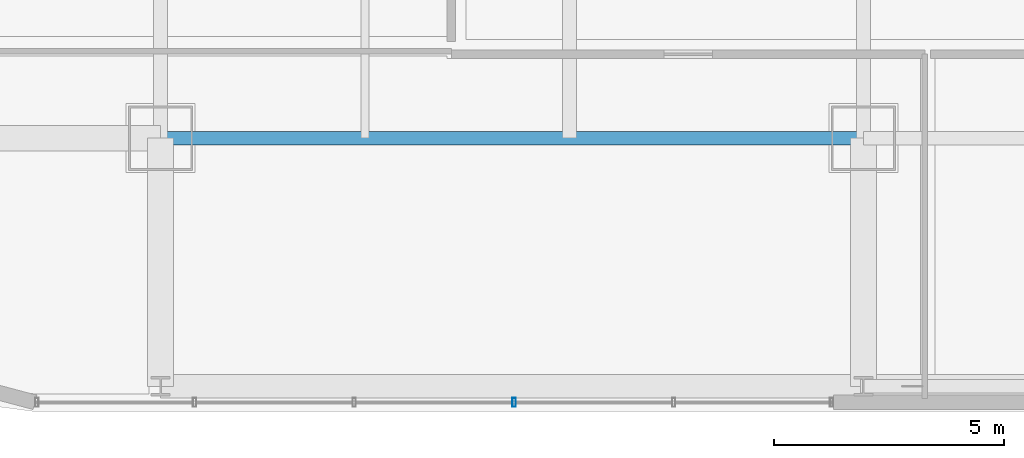
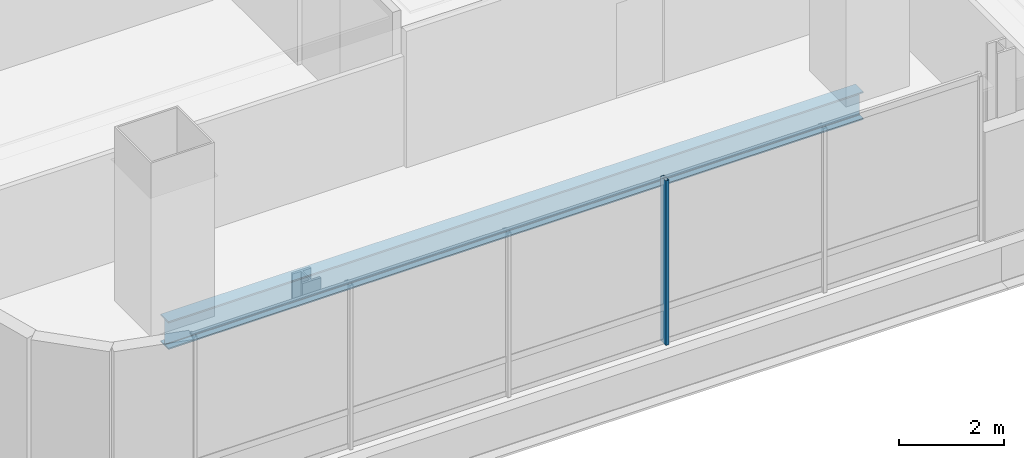
# One storey, part 4 of 38: 1 beam, 1 member, 1 element without a shape of its own.
"""IFC4 building model written with IfcOpenShell, lengths in metres."""

from ifc_helpers import new_model, si_unit, direction, frame, origin, origin_2d, place, context, subcontext, project, spatial, hollow_rectangle, i_section, extrude, material, material_profile, profile_set, type_object, element, aggregate, save


model = new_model("IFC4")

# Units and contexts
model_context = context("Model", 3, precision=1e-05, world=origin(), true_north=direction((0.0, 1.0)))
body_context = subcontext(model_context, "Body", "Model", "MODEL_VIEW")
ifc_project = project(units=[si_unit("LENGTHUNIT", "METRE"), si_unit("AREAUNIT", "SQUARE_METRE"), si_unit("VOLUMEUNIT", "CUBIC_METRE"), si_unit("PLANEANGLEUNIT", "RADIAN"), si_unit("MASSUNIT", "GRAM", prefix="KILO")], contexts=[model_context])

# Site, building, storey
site_placement = place(None, origin())
site = spatial("IfcSite", under=ifc_project, at=site_placement, CompositionType="ELEMENT")
building_placement = place(site_placement, origin())
building = spatial("IfcBuilding", under=site, at=building_placement, Name="Punatoya Terracotta Tower", CompositionType="ELEMENT")
storey_placement = place(building_placement, frame((0.0, 0.0, 188.39990234375)))
storey = spatial("IfcBuildingStorey", under=building, at=storey_placement, Name="L44", CompositionType="ELEMENT", Elevation=188.39990234375)

# Beam
ifc_material_1 = material(Name="Steel S355", Category="steel")
ifc_material_profile_1 = material_profile(ifc_material_1, i_section(OverallWidth=0.300048828125, OverallDepth=0.64990234375, WebThickness=0.01611328125, FlangeThickness=0.031005859375, FilletRadius=0.01806640625, at=origin_2d()))
ifc_profile_set_1 = profile_set([ifc_material_profile_1], Name="Steel S355")
beam_type = type_object("IfcBeamType", Name="BM-PRI-650", PredefinedType="BEAM", material=ifc_profile_set_1)
beam_placement = place(storey_placement, frame((-19.10009765625, -17.5, -0.544921875), z_axis=(1.0, 0.0, 0.0), x_axis=(0.0, 1.0, 0.0)))
element("IfcBeam", 1, at=beam_placement, inside=storey, type_object=beam_type, Name="BM-L44-RG-S1", PredefinedType="BEAM", context=body_context, shape_type="SweptSolid", body=[
    extrude(i_section(OverallWidth=0.300048828125, OverallDepth=0.64990234375, WebThickness=0.01611328125, FlangeThickness=0.031005859375, FilletRadius=0.01806640625, at=origin_2d()), origin(), (0.0, 0.0, 1.0), 15.300048828125),
])

# Curtain wall, member
ifc_material_2 = material(Name="Aluminium 6063-T6 + Double Low-E Glass", Category="aluminium")
curtain_wall_type = type_object("IfcCurtainWallType", Name="CW-M2", PredefinedType="NOTDEFINED", material=ifc_material_2)
curtain_wall_placement = place(storey_placement, origin())
curtain_wall = element("IfcCurtainWall", 2, at=curtain_wall_placement, inside=storey, type_object=curtain_wall_type, Name="L44 Curtain Wall CW-L44-S01-1", PredefinedType="NOTDEFINED")
ifc_material_3 = material(Name="Aluminium 6063-T6", Category="aluminium")
ifc_material_profile_2 = material_profile(ifc_material_3, hollow_rectangle(XDim=0.072021484375, YDim=0.195068359375, WallThickness=0.00439453125, at=origin_2d()))
ifc_profile_set_2 = profile_set([ifc_material_profile_2], Name="Aluminium 6063-T6")
member_type = type_object("IfcMemberType", Name="CW-MUL-M2", PredefinedType="MULLION", material=ifc_profile_set_2)
member_placement = place(storey_placement, frame((-11.40478515625, -23.25, 0.0), z_axis=(0.0, 0.0, 1.0), x_axis=(1.0, 0.0, 0.0)))
member = element("IfcMember", 3, at=member_placement, type_object=member_type, Name="CW-L44-S01-1 Mullion 03", PredefinedType="MULLION", context=body_context, shape_type="SweptSolid", body=[
    extrude(hollow_rectangle(XDim=0.072021484375, YDim=0.195068359375, WallThickness=0.00439453125, at=origin_2d()), origin(), (0.0, 0.0, 1.0), 3.830078125),
])
aggregate(curtain_wall, [member])

save(model, "model.ifc")
